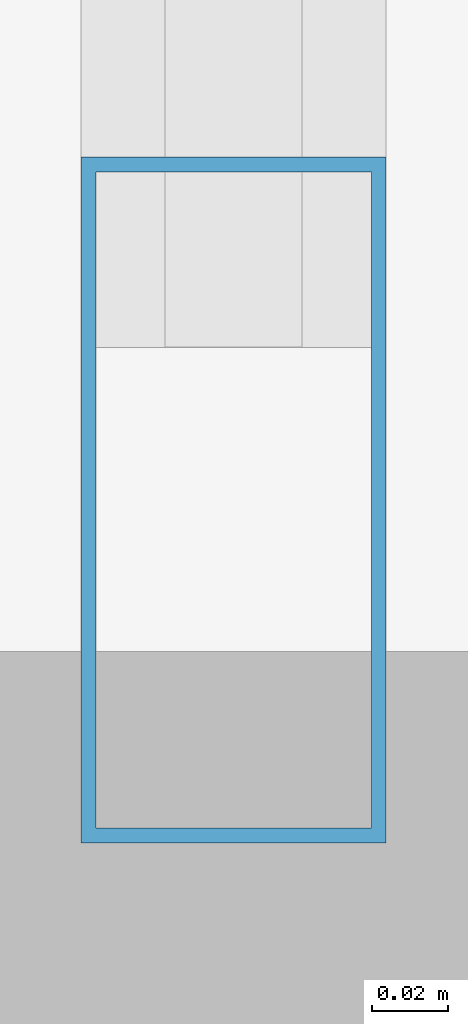
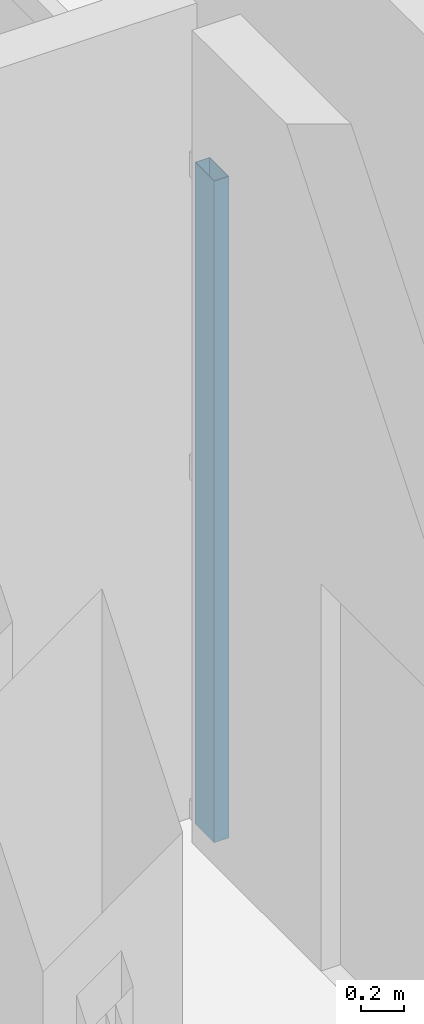
# One storey, part 4 of 16: 1 member, 1 element without a shape of its own.
"""IFC4 building model written with IfcOpenShell, lengths in metres."""

from ifc_helpers import new_model, si_unit, direction, frame, origin, origin_2d, place, context, subcontext, project, spatial, hollow_rectangle, extrude, material, layer, layer_set, material_profile, profile_set, type_object, element, aggregate, save


model = new_model("IFC4")

# Units and contexts
model_context = context("Model", 3, precision=1e-05, world=origin(), true_north=direction((0.0, 1.0)))
body_context = subcontext(model_context, "Body", "Model", "MODEL_VIEW")
ifc_project = project(units=[si_unit("LENGTHUNIT", "METRE"), si_unit("AREAUNIT", "SQUARE_METRE"), si_unit("VOLUMEUNIT", "CUBIC_METRE"), si_unit("PLANEANGLEUNIT", "RADIAN"), si_unit("MASSUNIT", "GRAM", prefix="KILO")], contexts=[model_context])

# Site, building, storey
site_placement = place(None, origin())
site = spatial("IfcSite", under=ifc_project, at=site_placement, CompositionType="ELEMENT")
building_placement = place(site_placement, origin())
building = spatial("IfcBuilding", under=site, at=building_placement, Name="Solanera Arch Residences", CompositionType="ELEMENT")
storey_placement = place(building_placement, frame((0.0, 0.0, 278.080078125)))
storey = spatial("IfcBuildingStorey", under=building, at=storey_placement, Name="L80", CompositionType="ELEMENT", Elevation=278.080078125)

# Curtain wall, member
ifc_material_1 = material(Name="Anodised Aluminium Alloy 6063-T6", Category="aluminium")
ifc_layer = layer(ifc_material_1, 0.179931640625)
ifc_layer_set = layer_set([ifc_layer], Name="Anodised Aluminium Alloy 6063-T6")
curtain_wall_type = type_object("IfcCurtainWallType", Name="CW-6 Split-Top Crown Lantern Curtain Wall", PredefinedType="USERDEFINED", material=ifc_layer_set)
curtain_wall_placement = place(storey_placement, origin())
curtain_wall = element("IfcCurtainWall", 1, at=curtain_wall_placement, inside=storey, type_object=curtain_wall_type, Name="L80 W Crown Cleft Lantern Curtain Wall", ObjectType="CURTAIN_WALL", PredefinedType="USERDEFINED")
ifc_material_2 = material(Name="Anodised Aluminium Alloy 6063-T6", Category="aluminium")
ifc_material_profile = material_profile(ifc_material_2, hollow_rectangle(XDim=0.080078125, YDim=0.179931640625, WallThickness=0.00390625, at=origin_2d()))
ifc_profile_set = profile_set([ifc_material_profile], Name="Anodised Aluminium Alloy 6063-T6")
member_type = type_object("IfcMemberType", Name="Curtain Wall Mullion ALU-MUL-80X180", PredefinedType="MULLION", material=ifc_profile_set)
member_placement = place(storey_placement, frame((22.669921875, 32.639892578125, 0.0), z_axis=(0.0, 0.0, 1.0), x_axis=(-1.0, 0.0, 0.0)))
member = element("IfcMember", 2, at=member_placement, type_object=member_type, Name="CW-6 mullion 1", PredefinedType="MULLION", context=body_context, shape_type="SweptSolid", body=[
    extrude(hollow_rectangle(XDim=0.080078125, YDim=0.179931640625, WallThickness=0.00390625, at=origin_2d()), origin(), (0.0, 0.0, 1.0), 3.760009765625),
])
aggregate(curtain_wall, [member])

save(model, "model.ifc")
